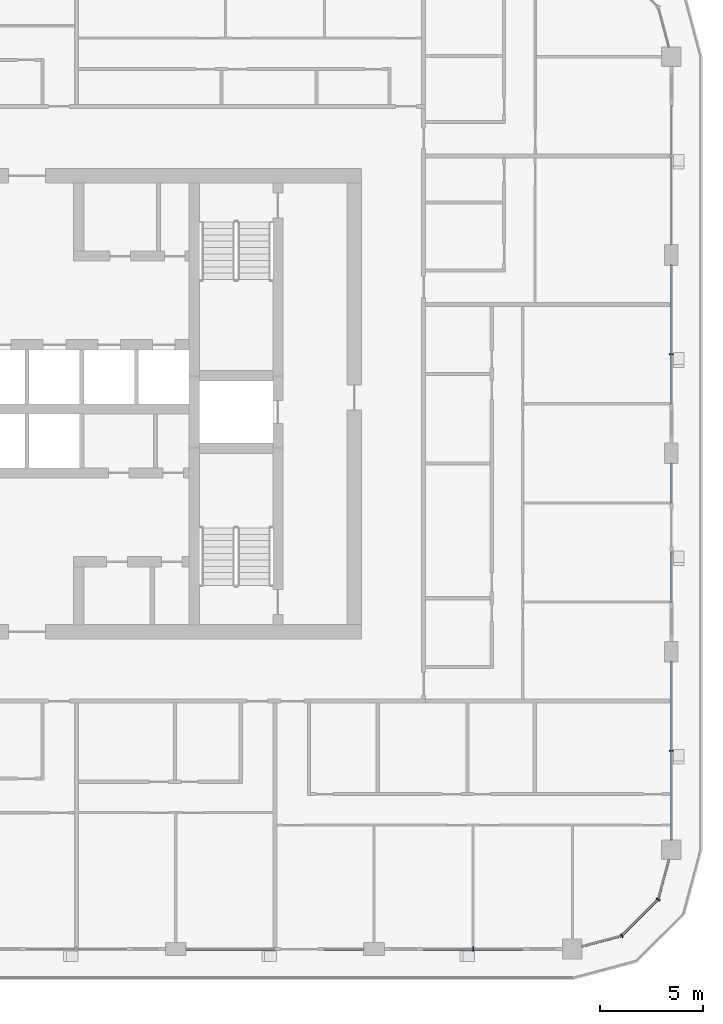
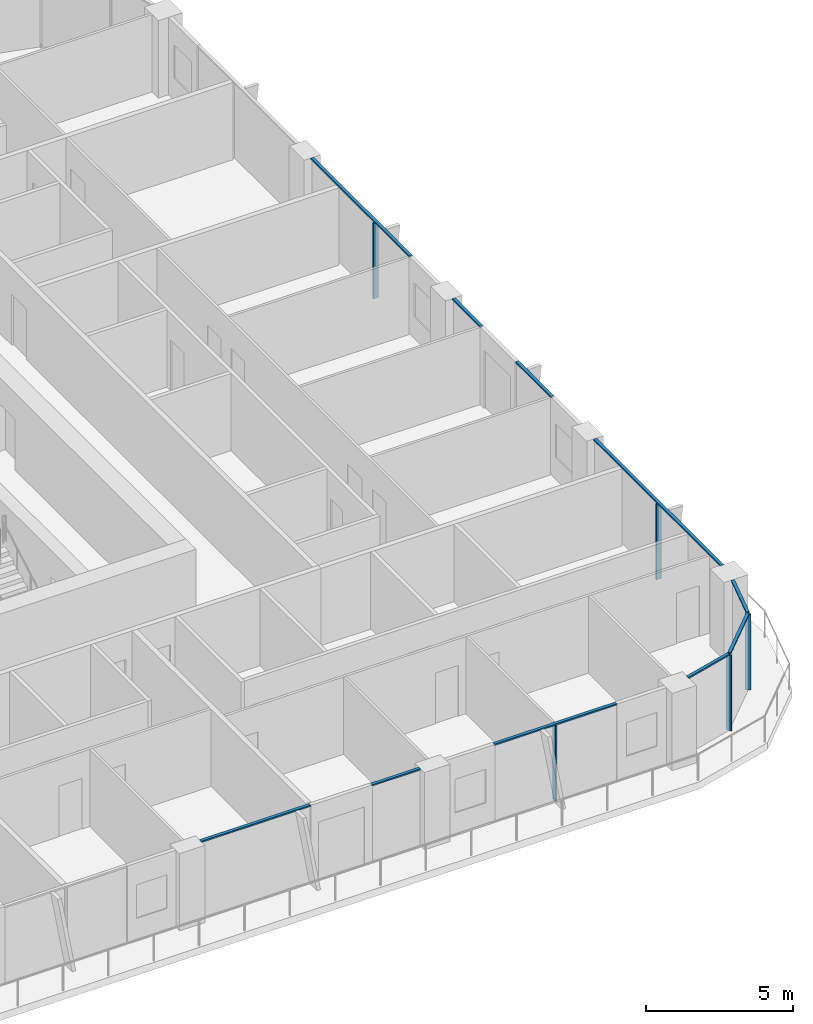
# One storey, part 4 of 22: 15 members, 6 elements without a shape of their own.
"""IFC4 building model written with IfcOpenShell, lengths in metres."""

import ifcopenshell
import ifcopenshell.guid

model = None  # the IFC model being written
_history = None  # IfcOwnerHistory: only IFC2X3 demands one
_inside = {}  # id of a spatial element -> (the spatial element, [elements in it])
_under = {}  # id of a project, library or spatial element -> (it, [spatial elements below it])
_declared = {}  # id of a project -> (the project, [libraries it declares])
_typed = {}  # id of a type object -> (the type object, [elements of that type])
_made_of = {}  # id of a material, layer set ... -> (it, [elements and type objects made of it])


def new_model(schema):
    """Start an empty IFC model of exactly this schema.

    Asked for "IFC4X3", IfcOpenShell would pick the latest addendum, in which some entities
    have other attributes; the version numbers below select the first issue.
    IFC2X3 requires an IfcOwnerHistory on every rooted entity: one is made here for all.
    """
    global model, _history
    if schema == "IFC4X3":
        model = ifcopenshell.file(schema_version=(4, 3, 0, 0))
    else:
        model = ifcopenshell.file(schema=schema)
    _inside.clear()
    _under.clear()
    _declared.clear()
    _typed.clear()
    _made_of.clear()
    _history = None
    if model.schema == "IFC2X3":
        org = make("IfcOrganization", Name="unknown")
        user = make(
            "IfcPersonAndOrganization",
            ThePerson=make("IfcPerson", FamilyName="unknown"),
            TheOrganization=org,
        )
        app = make(
            "IfcApplication",
            ApplicationDeveloper=org,
            Version="unknown",
            ApplicationFullName="unknown",
            ApplicationIdentifier="unknown",
        )
        _history = make(
            "IfcOwnerHistory",
            OwningUser=user,
            OwningApplication=app,
            ChangeAction="ADDED",
            CreationDate=0,
        )
    return model


def make(cls, **values):
    """One entity of the class cls with the attributes given. An attribute that is None is left unset."""
    return model.create_entity(
        cls, **{name: value for name, value in values.items() if value is not None}
    )


def rooted(cls, **values):
    """An entity with a GlobalId (a new one), such as an element, a storey or a relation."""
    return make(cls, GlobalId=ifcopenshell.guid.new(), OwnerHistory=_history, **values)


def si_unit(unit_type, name, prefix=None):
    """IfcSIUnit, for example si_unit("LENGTHUNIT", "METRE", prefix="MILLI")."""
    return make("IfcSIUnit", UnitType=unit_type, Prefix=prefix, Name=name)


def assignment(units):
    """IfcUnitAssignment: the units of a project."""
    return None if units is None else make("IfcUnitAssignment", Units=units)


def point(xyz):
    """IfcCartesianPoint."""
    return None if xyz is None else make("IfcCartesianPoint", Coordinates=xyz)


def direction(xyz):
    """IfcDirection."""
    return None if xyz is None else make("IfcDirection", DirectionRatios=xyz)


def frame(location, z_axis=None, x_axis=None):
    """IfcAxis2Placement3D, a coordinate frame: its origin and axes. An axis left out is left unset."""
    return make(
        "IfcAxis2Placement3D",
        Location=point(location),
        Axis=direction(z_axis),
        RefDirection=direction(x_axis),
    )


def frame_2d(location, x_axis=None):
    """IfcAxis2Placement2D, a coordinate frame in the plane: its origin and x axis."""
    return make(
        "IfcAxis2Placement2D", Location=point(location), RefDirection=direction(x_axis)
    )


def origin():
    """The frame at (0, 0, 0) with its axes left unset."""
    return frame((0.0, 0.0, 0.0))


def origin_2d():
    """The frame at (0, 0) in the plane with its x axis left unset."""
    return frame_2d((0.0, 0.0))


def place(relative_to, where):
    """IfcLocalPlacement: puts the frame where relative to a parent placement (None: the world)."""
    return make(
        "IfcLocalPlacement", PlacementRelTo=relative_to, RelativePlacement=where
    )


def context(
    kind, dimensions, precision=None, world=None, true_north=None, identifier=None
):
    """IfcGeometricRepresentationContext, for example the 3D "Model" context."""
    return make(
        "IfcGeometricRepresentationContext",
        ContextIdentifier=identifier,
        ContextType=kind,
        CoordinateSpaceDimension=dimensions,
        Precision=precision,
        WorldCoordinateSystem=world,
        TrueNorth=true_north,
    )


def subcontext(parent, identifier, kind, view, scale=None):
    """IfcGeometricRepresentationSubContext, for example "Body" below "Model"."""
    return make(
        "IfcGeometricRepresentationSubContext",
        ContextIdentifier=identifier,
        ContextType=kind,
        ParentContext=parent,
        TargetScale=scale,
        TargetView=view,
    )


def project(units=None, contexts=None):
    """IfcProject with its units and contexts."""
    return rooted(
        "IfcProject",
        Name="project",
        RepresentationContexts=contexts,
        UnitsInContext=assignment(units),
    )


def spatial(cls, under=None, at=None, **own):
    """A site, building, storey or space (cls), placed at a placement, below another one or the project."""
    s = rooted(cls, ObjectPlacement=at, **own)
    if under is not None:
        _under.setdefault(under.id(), (under, []))[1].append(s)
    return s


def profile(cls, at=None, kind="AREA", **sizes):
    """A parametric profile (cls). Its sizes go by their IFC names, for example OverallWidth=200.0."""
    return make(cls, ProfileType=kind, Position=at, **sizes)


def rectangle(**sizes):
    """IfcRectangleProfileDef."""
    return profile("IfcRectangleProfileDef", **sizes)


def extrude(swept, where, along, depth):
    """IfcExtrudedAreaSolid: the profile swept, set in the frame where, extruded along a direction by depth."""
    return make(
        "IfcExtrudedAreaSolid",
        SweptArea=swept,
        Position=where,
        ExtrudedDirection=direction(along),
        Depth=depth,
    )


def shape(context_of_items, identifier, shape_type, items):
    """IfcShapeRepresentation: the items that make up one representation, for example the "Body"."""
    return make(
        "IfcShapeRepresentation",
        ContextOfItems=context_of_items,
        RepresentationIdentifier=identifier,
        RepresentationType=shape_type,
        Items=items,
    )


def material(Name=None, Category=None):
    """IfcMaterial."""
    return make("IfcMaterial", Name=Name, Category=Category)


def layer(
    of_material, thickness, ventilated=None, Name=None, Category=None, Priority=None
):
    """IfcMaterialLayer: one layer of a wall or slab, of a material (None: an air gap)."""
    return make(
        "IfcMaterialLayer",
        Material=of_material,
        LayerThickness=thickness,
        IsVentilated=ventilated,
        Name=Name,
        Category=Category,
        Priority=Priority,
    )


def layer_set(layers, Name=None):
    """IfcMaterialLayerSet."""
    return make("IfcMaterialLayerSet", MaterialLayers=layers, LayerSetName=Name)


def material_profile(
    of_material, cross_section, Name=None, Category=None, Priority=None
):
    """IfcMaterialProfile: a cross section and its material."""
    return make(
        "IfcMaterialProfile",
        Name=Name,
        Material=of_material,
        Profile=cross_section,
        Priority=Priority,
        Category=Category,
    )


def profile_set(profiles, Name=None, composite=None):
    """IfcMaterialProfileSet."""
    return make(
        "IfcMaterialProfileSet",
        Name=Name,
        MaterialProfiles=profiles,
        CompositeProfile=composite,
    )


def made_of(thing, what):
    """Note that an element or type object is made of a material, layer set ...; save() writes the relation."""
    if what is not None:
        _made_of.setdefault(what.id(), (what, []))[1].append(thing)
    return thing


def type_object(cls, material=None, **own):
    """A type object (cls), such as IfcWallType, which elements share."""
    return made_of(rooted(cls, **own), material)


def element(
    cls,
    number,
    at=None,
    inside=None,
    cuts=None,
    type_object=None,
    material=None,
    context=None,
    identifier="Body",
    shape_type=None,
    held_by="IfcProductDefinitionShape",
    body=None,
    shapes=None,
    **own,
):
    """One element of the class cls, such as IfcWall. Its Tag is "e" and its number.

    at: its placement. inside: the storey or other place that contains it. cuts: it is an
    opening in that element (IfcRelVoidsElement). A single representation is given by context,
    identifier, shape_type and body (its items); several are given by shapes. held_by: the class
    of the entity that holds the representations. save() writes the other relations.
    """
    e = rooted(cls, Tag="e%d" % number, ObjectPlacement=at, **own)
    if body is not None:
        shapes = [shape(context, identifier, shape_type, body)]
    if shapes is not None:
        e.Representation = make(held_by, Representations=shapes)
    if inside is not None:
        _inside.setdefault(inside.id(), (inside, []))[1].append(e)
    if cuts is not None:
        rooted(
            "IfcRelVoidsElement", RelatingBuildingElement=cuts, RelatedOpeningElement=e
        )
    if type_object is not None:
        _typed.setdefault(type_object.id(), (type_object, []))[1].append(e)
    return made_of(e, material)


def aggregate(whole, parts):
    """IfcRelAggregates: a whole, such as a stair, and the parts it consists of."""
    return rooted("IfcRelAggregates", RelatingObject=whole, RelatedObjects=parts)


def save(model, path):
    """Write the relations noted so far, then the file.

    IfcRelAggregates (storeys below a building ...), IfcRelContainedInSpatialStructure (elements
    in a storey), IfcRelDefinesByType, IfcRelAssociatesMaterial and IfcRelDeclares: one each for
    every whole, place, type object, material and project.
    """
    for whole, parts in _under.values():
        aggregate(whole, parts)
    for where, things in _inside.values():
        rooted(
            "IfcRelContainedInSpatialStructure",
            RelatedElements=things,
            RelatingStructure=where,
        )
    for kind, things in _typed.values():
        rooted("IfcRelDefinesByType", RelatedObjects=things, RelatingType=kind)
    for what, things in _made_of.values():
        rooted("IfcRelAssociatesMaterial", RelatedObjects=things, RelatingMaterial=what)
    for by, libraries in _declared.values():
        rooted("IfcRelDeclares", RelatingContext=by, RelatedDefinitions=libraries)
    model.write(path)


model = new_model("IFC4")

# Units and contexts
model_context = context("Model", 3, precision=1e-05, world=origin(), true_north=direction((0.0, 1.0)))
body_context = subcontext(model_context, "Body", "Model", "MODEL_VIEW")
ifc_project = project(units=[si_unit("LENGTHUNIT", "METRE"), si_unit("AREAUNIT", "SQUARE_METRE"), si_unit("VOLUMEUNIT", "CUBIC_METRE"), si_unit("PLANEANGLEUNIT", "RADIAN"), si_unit("MASSUNIT", "GRAM", prefix="KILO")], contexts=[model_context])

# Site, building, storey
site_placement = place(None, origin())
site = spatial("IfcSite", under=ifc_project, at=site_placement, CompositionType="ELEMENT")
building_placement = place(site_placement, origin())
building = spatial("IfcBuilding", under=site, at=building_placement, Name="Madar Terraces", CompositionType="ELEMENT")
storey_placement = place(building_placement, frame((0.0, 0.0, 182.39990234375)))
storey = spatial("IfcBuildingStorey", under=building, at=storey_placement, Name="L47", CompositionType="ELEMENT", Elevation=182.39990234375)

# Curtain wall, member
ifc_material_1 = material(Name="Glass, ceramic frit dark grey, with black aluminium frame", Category="aluminium")
ifc_layer = layer(ifc_material_1, 0.199951171875)
ifc_layer_set = layer_set([ifc_layer], Name="Facade curtain wall, fritted glass")
curtain_wall_type = type_object("IfcCurtainWallType", Name="Facade curtain wall, fritted glass", PredefinedType="NOTDEFINED", material=ifc_layer_set)
curtain_wall_1_placement = place(storey_placement, origin())
curtain_wall_1 = element("IfcCurtainWall", 1, at=curtain_wall_1_placement, inside=storey, type_object=curtain_wall_type, Name="Outer skin curtain wall south bay 5", PredefinedType="NOTDEFINED")
ifc_material_2 = material(Name="Aluminium, black anodised", Category="aluminium")
ifc_material_profile_1 = material_profile(ifc_material_2, rectangle(XDim=0.199951171875, YDim=0.06005859375, at=origin_2d()), Name="Facade mullion 60x200")
ifc_profile_set_1 = profile_set([ifc_material_profile_1], Name="Aluminium, black anodised")
member_type_1 = type_object("IfcMemberType", Name="Facade mullion 60x200", PredefinedType="MULLION", material=ifc_profile_set_1)
member_1_placement = place(storey_placement, frame((52.800048828125, 0.0, 0.0), z_axis=(0.0, 0.0, 1.0), x_axis=(0.0, 1.0, 0.0)))
member_1 = element("IfcMember", 2, at=member_1_placement, type_object=member_type_1, Name="Mullion 1", PredefinedType="MULLION", context=body_context, shape_type="SweptSolid", body=[
    extrude(rectangle(XDim=0.199951171875, YDim=0.06005859375, at=origin_2d()), origin(), (0.0, 0.0, 1.0), 3.14013671875),
])

curtain_wall_2_placement = place(storey_placement, origin())
curtain_wall_2 = element("IfcCurtainWall", 3, at=curtain_wall_2_placement, inside=storey, type_object=curtain_wall_type, Name="Outer skin curtain wall east bay 1", PredefinedType="NOTDEFINED")
member_2_placement = place(storey_placement, frame((62.39990234375, 9.60009765625, 0.0), z_axis=(0.0, 0.0, 1.0), x_axis=(-1.0, 0.0, 0.0)))
member_2 = element("IfcMember", 4, at=member_2_placement, type_object=member_type_1, Name="Mullion 1", PredefinedType="MULLION", context=body_context, shape_type="SweptSolid", body=[
    extrude(rectangle(XDim=0.199951171875, YDim=0.06005859375, at=origin_2d()), origin(), (0.0, 0.0, 1.0), 3.14013671875),
])

curtain_wall_3_placement = place(storey_placement, origin())
curtain_wall_3 = element("IfcCurtainWall", 5, at=curtain_wall_3_placement, inside=storey, type_object=curtain_wall_type, Name="Outer skin curtain wall east bay 3", PredefinedType="NOTDEFINED")
member_3_placement = place(storey_placement, frame((62.39990234375, 28.800048828125, 0.0), z_axis=(0.0, 0.0, 1.0), x_axis=(-1.0, 0.0, 0.0)))
member_3 = element("IfcMember", 6, at=member_3_placement, type_object=member_type_1, Name="Mullion 1", PredefinedType="MULLION", context=body_context, shape_type="SweptSolid", body=[
    extrude(rectangle(XDim=0.199951171875, YDim=0.06005859375, at=origin_2d()), origin(), (0.0, 0.0, 1.0), 3.14013671875),
])

# Curtain wall, members
curtain_wall_4_placement = place(storey_placement, origin())
curtain_wall_4 = element("IfcCurtainWall", 7, at=curtain_wall_4_placement, inside=storey, type_object=curtain_wall_type, Name="Outer skin curtain wall south-east corner", PredefinedType="NOTDEFINED")
member_4_placement = place(storey_placement, frame((60.0, 0.64306640625, 0.0), z_axis=(0.0, 0.0, 1.0), x_axis=(-0.499999989586, 0.866025409797, 0.0)))
member_4 = element("IfcMember", 8, at=member_4_placement, type_object=member_type_1, Name="Mullion 1", PredefinedType="MULLION", context=body_context, shape_type="SweptSolid", body=[
    extrude(rectangle(XDim=0.199951171875, YDim=0.06005859375, at=origin_2d()), origin(), (0.0, 0.0, 1.0), 3.14013671875),
])
member_5_placement = place(storey_placement, frame((61.7568359375, 2.39990234375, 0.0), z_axis=(0.0, 0.0, 1.0), x_axis=(-0.866025409797, 0.499999989586, 0.0)))
member_5 = element("IfcMember", 9, at=member_5_placement, type_object=member_type_1, Name="Mullion 2", PredefinedType="MULLION", context=body_context, shape_type="SweptSolid", body=[
    extrude(rectangle(XDim=0.199951171875, YDim=0.06005859375, at=origin_2d()), origin(), (0.0, 0.0, 1.0), 3.14013671875),
])

curtain_wall_5_placement = place(storey_placement, origin())
curtain_wall_5 = element("IfcCurtainWall", 10, at=curtain_wall_5_placement, inside=storey, type_object=curtain_wall_type, Name="Outer skin curtain wall south bay 4", PredefinedType="NOTDEFINED")
ifc_material_3 = material(Name="Aluminium, black anodised", Category="aluminium")
ifc_material_profile_2 = material_profile(ifc_material_3, rectangle(XDim=0.1201171875, YDim=0.06005859375, at=origin_2d()), Name="Facade transom 60x120")
ifc_profile_set_2 = profile_set([ifc_material_profile_2], Name="Aluminium, black anodised")
member_type_2 = type_object("IfcMemberType", Name="Facade transom 60x120", PredefinedType="USERDEFINED", material=ifc_profile_set_2)
member_6_placement = place(storey_placement, frame((38.89990234375, 0.0, 3.170166015625), z_axis=(1.0, 0.0, 0.0), x_axis=(0.0, 1.0, 0.0)))
member_6 = element("IfcMember", 11, at=member_6_placement, type_object=member_type_2, Name="Transom 1", ObjectType="TRANSOM", PredefinedType="USERDEFINED", context=body_context, shape_type="SweptSolid", body=[
    extrude(rectangle(XDim=0.1201171875, YDim=0.06005859375, at=origin_2d()), origin(), (0.0, 0.0, 1.0), 4.300048828125),
])
member_7_placement = place(storey_placement, frame((45.60009765625, 0.0, 3.170166015625), z_axis=(1.0, 0.0, 0.0), x_axis=(0.0, 1.0, 0.0)))
member_7 = element("IfcMember", 12, at=member_7_placement, type_object=member_type_2, Name="Transom 2", ObjectType="TRANSOM", PredefinedType="USERDEFINED", context=body_context, shape_type="SweptSolid", body=[
    extrude(rectangle(XDim=0.1201171875, YDim=0.06005859375, at=origin_2d()), origin(), (0.0, 0.0, 1.0), 1.89990234375),
])
aggregate(curtain_wall_5, [member_6, member_7])

# Member
member_8_placement = place(storey_placement, frame((50.39990234375, 0.0, 3.170166015625), z_axis=(1.0, 0.0, 0.0), x_axis=(0.0, 1.0, 0.0)))
member_8 = element("IfcMember", 13, at=member_8_placement, type_object=member_type_2, Name="Transom 1", ObjectType="TRANSOM", PredefinedType="USERDEFINED", context=body_context, shape_type="SweptSolid", body=[
    extrude(rectangle(XDim=0.1201171875, YDim=0.06005859375, at=origin_2d()), origin(), (0.0, 0.0, 1.0), 4.800048828125),
])

aggregate(curtain_wall_1, [member_1, member_8])

member_9_placement = place(storey_placement, frame((62.39990234375, 5.27490234375, 3.170166015625), z_axis=(0.0, 1.0, 0.0), x_axis=(-1.0, 0.0, 0.0)))
member_9 = element("IfcMember", 14, at=member_9_placement, type_object=member_type_2, Name="Transom 1", ObjectType="TRANSOM", PredefinedType="USERDEFINED", context=body_context, shape_type="SweptSolid", body=[
    extrude(rectangle(XDim=0.1201171875, YDim=0.06005859375, at=origin_2d()), origin(), (0.0, 0.0, 1.0), 8.625),
])

aggregate(curtain_wall_2, [member_2, member_9])

# Curtain wall, members
curtain_wall_6_placement = place(storey_placement, origin())
curtain_wall_6 = element("IfcCurtainWall", 15, at=curtain_wall_6_placement, inside=storey, type_object=curtain_wall_type, Name="Outer skin curtain wall east bay 2", PredefinedType="NOTDEFINED")
member_10_placement = place(storey_placement, frame((62.39990234375, 16.800048828125, 3.170166015625), z_axis=(0.0, 1.0, 0.0), x_axis=(-1.0, 0.0, 0.0)))
member_10 = element("IfcMember", 16, at=member_10_placement, type_object=member_type_2, Name="Transom 1", ObjectType="TRANSOM", PredefinedType="USERDEFINED", context=body_context, shape_type="SweptSolid", body=[
    extrude(rectangle(XDim=0.1201171875, YDim=0.06005859375, at=origin_2d()), origin(), (0.0, 0.0, 1.0), 2.39990234375),
])
member_11_placement = place(storey_placement, frame((62.39990234375, 21.60009765625, 3.170166015625), z_axis=(0.0, 1.0, 0.0), x_axis=(-1.0, 0.0, 0.0)))
member_11 = element("IfcMember", 17, at=member_11_placement, type_object=member_type_2, Name="Transom 2", ObjectType="TRANSOM", PredefinedType="USERDEFINED", context=body_context, shape_type="SweptSolid", body=[
    extrude(rectangle(XDim=0.1201171875, YDim=0.06005859375, at=origin_2d()), origin(), (0.0, 0.0, 1.0), 1.89990234375),
])
aggregate(curtain_wall_6, [member_10, member_11])

# Member
member_12_placement = place(storey_placement, frame((62.39990234375, 26.39990234375, 3.170166015625), z_axis=(0.0, 1.0, 0.0), x_axis=(-1.0, 0.0, 0.0)))
member_12 = element("IfcMember", 18, at=member_12_placement, type_object=member_type_2, Name="Transom 1", ObjectType="TRANSOM", PredefinedType="USERDEFINED", context=body_context, shape_type="SweptSolid", body=[
    extrude(rectangle(XDim=0.1201171875, YDim=0.06005859375, at=origin_2d()), origin(), (0.0, 0.0, 1.0), 6.7001953125),
])

aggregate(curtain_wall_3, [member_3, member_12])

member_13_placement = place(storey_placement, frame((58.074951171875, 0.127197265625, 3.170166015625), z_axis=(0.96592251241, 0.258831412352, 0.0), x_axis=(-0.258831412352, 0.96592251241, 0.0)))
member_13 = element("IfcMember", 19, at=member_13_placement, type_object=member_type_2, Name="Transom 1", ObjectType="TRANSOM", PredefinedType="USERDEFINED", context=body_context, shape_type="SweptSolid", body=[
    extrude(rectangle(XDim=0.1201171875, YDim=0.06005859375, at=origin_2d()), origin(), (0.0, 0.0, 1.0), 1.962890625),
])

member_14_placement = place(storey_placement, frame((60.021240234375, 0.664306640625, 3.170166015625), z_axis=(0.707056433593, 0.707157125196, 0.0), x_axis=(-0.707157125196, 0.707056433593, 0.0)))
member_14 = element("IfcMember", 20, at=member_14_placement, type_object=member_type_2, Name="Transom 2", ObjectType="TRANSOM", PredefinedType="USERDEFINED", context=body_context, shape_type="SweptSolid", body=[
    extrude(rectangle(XDim=0.1201171875, YDim=0.06005859375, at=origin_2d()), origin(), (0.0, 0.0, 1.0), 2.424560546875),
])

member_15_placement = place(storey_placement, frame((61.7646484375, 2.428955078125, 3.170166015625), z_axis=(0.258831412352, 0.96592251241, 0.0), x_axis=(-0.96592251241, 0.258831412352, 0.0)))
member_15 = element("IfcMember", 21, at=member_15_placement, type_object=member_type_2, Name="Transom 3", ObjectType="TRANSOM", PredefinedType="USERDEFINED", context=body_context, shape_type="SweptSolid", body=[
    extrude(rectangle(XDim=0.1201171875, YDim=0.06005859375, at=origin_2d()), origin(), (0.0, 0.0, 1.0), 1.962890625),
])

aggregate(curtain_wall_4, [member_4, member_13, member_5, member_14, member_15])

save(model, "model.ifc")
